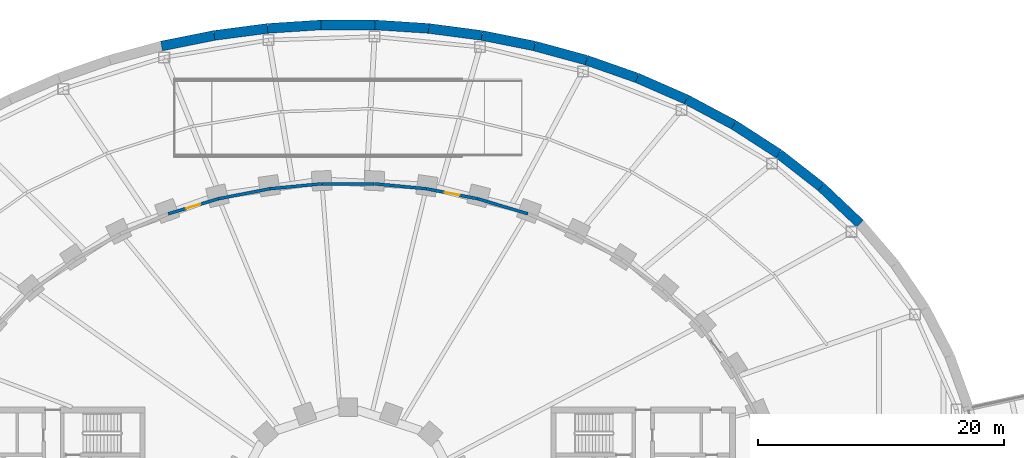
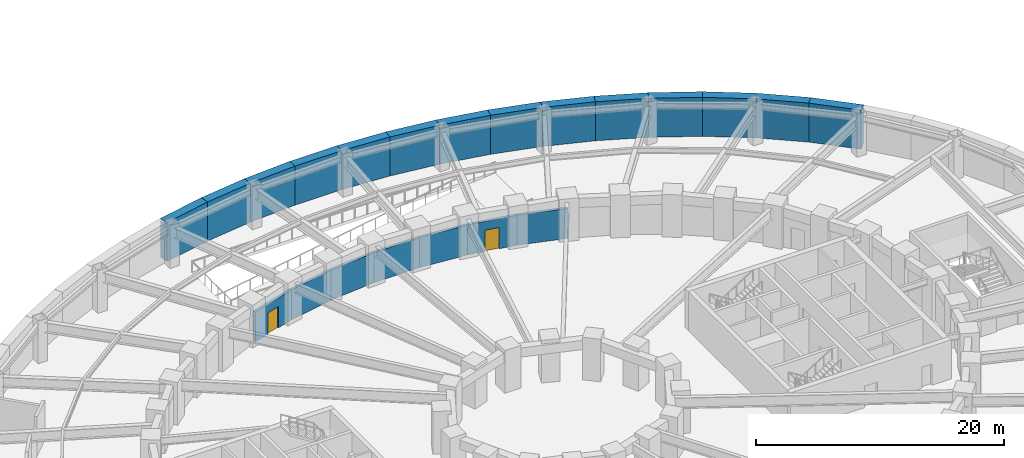
# One storey, part 22 of 32: 21 walls, 2 doors, 2 openings.
"""IFC4 building model written with IfcOpenShell, lengths in metres."""

from ifc_helpers import new_model, si_unit, direction, frame, frame_2d, origin, place, context, subcontext, project, spatial, rectangle, extrude, material, layer, layer_set, type_object, element, fill, save


model = new_model("IFC4")

# Units and contexts
model_context = context("Model", 3, precision=1e-05, world=origin(), true_north=direction((0.0, 1.0)))
body_context = subcontext(model_context, "Body", "Model", "MODEL_VIEW")
ifc_project = project(units=[si_unit("LENGTHUNIT", "METRE"), si_unit("AREAUNIT", "SQUARE_METRE"), si_unit("VOLUMEUNIT", "CUBIC_METRE"), si_unit("PLANEANGLEUNIT", "RADIAN"), si_unit("MASSUNIT", "GRAM", prefix="KILO")], contexts=[model_context])

# Site, building, storey
site_placement = place(None, origin())
site = spatial("IfcSite", under=ifc_project, at=site_placement, CompositionType="ELEMENT")
building_placement = place(site_placement, origin())
building = spatial("IfcBuilding", under=site, at=building_placement, Name="Noorbagh Ring Tower", CompositionType="ELEMENT")
storey_placement = place(building_placement, frame((0.0, 0.0, -4.199951171875)))
storey = spatial("IfcBuildingStorey", under=building, at=storey_placement, Name="B1", CompositionType="ELEMENT", Elevation=-4.199951171875)

# Wall
ifc_material_1 = material(Name="Concrete C40/50", Category="concrete")
ifc_layer_1 = layer(ifc_material_1, 0.25)
ifc_layer_set_1 = layer_set([ifc_layer_1], Name="Concrete C40/50")
wall_type_1 = type_object("IfcWallType", Name="GND-WALL-RING", PredefinedType="SOLIDWALL", material=ifc_layer_set_1)
wall_1_placement = place(storey_placement, frame((14.6162109375, 24.2080078125, 0.0), z_axis=(0.0, 0.0, 1.0), x_axis=(-0.957589494621, 0.28813600919, 0.0)))
element("IfcWall", 1, at=wall_1_placement, inside=storey, type_object=wall_type_1, Name="Tower basement fire wall", PredefinedType="SOLIDWALL", context=body_context, shape_type="SweptSolid", body=[
    extrude(rectangle(XDim=4.234130859375, YDim=0.25, at=frame_2d((2.1171875, 0.0))), origin(), (0.0, 0.0, 1.0), 2.949951171875),
])

# Wall, opening, door
wall_2_placement = place(storey_placement, frame((10.544189453125, 25.432373046875, 0.0), z_axis=(0.0, 0.0, 1.0), x_axis=(-0.981622881166, 0.190831127365, 0.0)))
wall_2 = element("IfcWall", 2, at=wall_2_placement, inside=storey, type_object=wall_type_1, Name="Tower basement fire wall", PredefinedType="SOLIDWALL", context=body_context, shape_type="SweptSolid", body=[
    extrude(rectangle(XDim=4.23974609375, YDim=0.25, at=frame_2d((2.119873046875, 0.0))), origin(), (0.0, 0.0, 1.0), 2.949951171875),
])
opening_1_placement = place(wall_2_placement, frame((1.52001953125, 0.0, 0.0)))
opening_1 = element("IfcOpeningElement", 3, at=opening_1_placement, cuts=wall_2, Name="Opening GD4", PredefinedType="OPENING", context=body_context, shape_type="SweptSolid", body=[
    extrude(rectangle(XDim=1.199951171875, YDim=2.10009765625, at=frame_2d((0.60009765625, 1.050048828125))), frame((0.0, 0.135009765625, 0.0), z_axis=(0.0, -1.0, 0.0), x_axis=(1.0, 0.0, 0.0)), (0.0, 0.0, 1.0), 0.27001953125),
])
ifc_material_2 = material(Name="Steel", Category="steel")
door_type = type_object("IfcDoorType", Name="GND-DOOR-RING", OperationType="DOUBLE_DOOR_SINGLE_SWING", PredefinedType="DOOR", material=ifc_material_2)
door_1_placement = place(opening_1_placement, origin())
door_1 = element("IfcDoor", 4, at=door_1_placement, inside=storey, type_object=door_type, Name="Tower basement door", OperationType="DOUBLE_DOOR_SINGLE_SWING", OverallHeight=2.10009765625, OverallWidth=1.199951171875, PredefinedType="DOOR", context=body_context, shape_type="SweptSolid", body=[
    extrude(rectangle(XDim=1.199951171875, YDim=2.10009765625, at=frame_2d((0.60009765625, 1.050048828125))), frame((0.0, 0.02490234375, 0.0), z_axis=(0.0, -1.0, 0.0), x_axis=(1.0, 0.0, 0.0)), (0.0, 0.0, 1.0), 0.050048828125),
])
fill(opening_1, door_1)

# Walls
wall_3_placement = place(storey_placement, frame((6.364501953125, 26.243896484375, 0.0), z_axis=(0.0, 0.0, 1.0), x_axis=(-0.995473208191, 0.09504257874, 0.0)))
element("IfcWall", 5, at=wall_3_placement, inside=storey, type_object=wall_type_1, Name="Tower basement fire wall", PredefinedType="SOLIDWALL", context=body_context, shape_type="SweptSolid", body=[
    extrude(rectangle(XDim=4.24365234375, YDim=0.25, at=frame_2d((2.121826171875, 0.0))), origin(), (0.0, 0.0, 1.0), 2.949951171875),
])
wall_4_placement = place(storey_placement, frame((2.122314453125, 26.64794921875, 0.0), z_axis=(0.0, 0.0, 1.0), x_axis=(-1.0, 0.0, 0.0)))
element("IfcWall", 6, at=wall_4_placement, inside=storey, type_object=wall_type_1, Name="Tower basement fire wall", PredefinedType="SOLIDWALL", context=body_context, shape_type="SweptSolid", body=[
    extrude(rectangle(XDim=4.24462890625, YDim=0.25, at=frame_2d((2.122314453125, 0.0))), origin(), (0.0, 0.0, 1.0), 2.949951171875),
])
wall_5_placement = place(storey_placement, frame((-2.14013671875, 26.647216796875, 0.0), z_axis=(0.0, 0.0, 1.0), x_axis=(-0.995473208191, -0.09504257874, 0.0)))
element("IfcWall", 7, at=wall_5_placement, inside=storey, type_object=wall_type_1, Name="Tower basement fire wall", PredefinedType="SOLIDWALL", context=body_context, shape_type="SweptSolid", body=[
    extrude(rectangle(XDim=4.24365234375, YDim=0.25, at=frame_2d((2.121826171875, 0.0))), origin(), (0.0, 0.0, 1.0), 2.949951171875),
])
wall_6_placement = place(storey_placement, frame((-6.38232421875, 26.241455078125, 0.0), z_axis=(0.0, 0.0, 1.0), x_axis=(-0.981622881166, -0.190831127365, 0.0)))
element("IfcWall", 8, at=wall_6_placement, inside=storey, type_object=wall_type_1, Name="Tower basement fire wall", PredefinedType="SOLIDWALL", context=body_context, shape_type="SweptSolid", body=[
    extrude(rectangle(XDim=4.23974609375, YDim=0.25, at=frame_2d((2.119873046875, 0.0))), origin(), (0.0, 0.0, 1.0), 2.949951171875),
])

# Wall, opening, door
wall_7_placement = place(storey_placement, frame((-10.561767578125, 25.427978515625, 0.0), z_axis=(0.0, 0.0, 1.0), x_axis=(-0.957589494621, -0.28813600919, 0.0)))
wall_7 = element("IfcWall", 9, at=wall_7_placement, inside=storey, type_object=wall_type_1, Name="Tower basement fire wall", PredefinedType="SOLIDWALL", context=body_context, shape_type="SweptSolid", body=[
    extrude(rectangle(XDim=4.234130859375, YDim=0.25, at=frame_2d((2.1171875, 0.0))), origin(), (0.0, 0.0, 1.0), 2.949951171875),
])
opening_2_placement = place(wall_7_placement, frame((1.51708984375, 0.0, 0.0)))
opening_2 = element("IfcOpeningElement", 10, at=opening_2_placement, cuts=wall_7, Name="Opening GD4", PredefinedType="OPENING", context=body_context, shape_type="SweptSolid", body=[
    extrude(rectangle(XDim=1.199951171875, YDim=2.10009765625, at=frame_2d((0.60009765625, 1.050048828125))), frame((0.0, 0.135009765625, 0.0), z_axis=(0.0, -1.0, 0.0), x_axis=(1.0, 0.0, 0.0)), (0.0, 0.0, 1.0), 0.27001953125),
])
door_2_placement = place(opening_2_placement, origin())
door_2 = element("IfcDoor", 11, at=door_2_placement, inside=storey, type_object=door_type, Name="Tower basement door", OperationType="DOUBLE_DOOR_SINGLE_SWING", OverallHeight=2.10009765625, OverallWidth=1.199951171875, PredefinedType="DOOR", context=body_context, shape_type="SweptSolid", body=[
    extrude(rectangle(XDim=1.199951171875, YDim=2.10009765625, at=frame_2d((0.60009765625, 1.050048828125))), frame((0.0, 0.02490234375, 0.0), z_axis=(0.0, -1.0, 0.0), x_axis=(1.0, 0.0, 0.0)), (0.0, 0.0, 1.0), 0.050048828125),
])
fill(opening_2, door_2)

# Walls
ifc_material_3 = material(Name="Concrete C40/50", Category="concrete")
ifc_layer_2 = layer(ifc_material_3, 0.800048828125)
ifc_layer_set_2 = layer_set([ifc_layer_2], Name="Concrete C40/50")
wall_type_2 = type_object("IfcWallType", Name="STR-RETAINING-WALL", PredefinedType="SOLIDWALL", material=ifc_layer_set_2)
wall_8_placement = place(storey_placement, frame((41.61669921875, 23.406005859375, 0.0), z_axis=(0.0, 0.0, 1.0), x_axis=(-0.72620446032, 0.687478786444, 0.0)))
element("IfcWall", 12, at=wall_8_placement, inside=storey, type_object=wall_type_2, Name="B1/retwall/07", PredefinedType="SOLIDWALL", context=body_context, shape_type="SweptSolid", body=[
    extrude(rectangle(XDim=4.356201171875, YDim=0.800048828125, at=frame_2d((2.17822265625, 0.0))), origin(), (0.0, 0.0, 1.0), 3.849853515625),
])
wall_9_placement = place(storey_placement, frame((38.453125, 26.40087890625, 0.0), z_axis=(0.0, 0.0, 1.0), x_axis=(-0.788491985196, 0.615045030288, 0.0)))
element("IfcWall", 13, at=wall_9_placement, inside=storey, type_object=wall_type_2, Name="B1/retwall/08", PredefinedType="SOLIDWALL", context=body_context, shape_type="SweptSolid", body=[
    extrude(rectangle(XDim=4.359375, YDim=0.800048828125, at=frame_2d((2.1796875, 0.0))), origin(), (0.0, 0.0, 1.0), 3.849853515625),
])
wall_10_placement = place(storey_placement, frame((35.015869140625, 29.08203125, 0.0), z_axis=(0.0, 0.0, 1.0), x_axis=(-0.840047348843, 0.542513088969, 0.0)))
element("IfcWall", 14, at=wall_10_placement, inside=storey, type_object=wall_type_2, Name="B1/retwall/09", PredefinedType="SOLIDWALL", context=body_context, shape_type="SweptSolid", body=[
    extrude(rectangle(XDim=4.362060546875, YDim=0.800048828125, at=frame_2d((2.18115234375, 0.0))), origin(), (0.0, 0.0, 1.0), 3.849853515625),
])
wall_11_placement = place(storey_placement, frame((31.3515625, 31.448486328125, 0.0), z_axis=(0.0, 0.0, 1.0), x_axis=(-0.882159305704, 0.47095112205, 0.0)))
element("IfcWall", 15, at=wall_11_placement, inside=storey, type_object=wall_type_2, Name="B1/retwall/10", PredefinedType="SOLIDWALL", context=body_context, shape_type="SweptSolid", body=[
    extrude(rectangle(XDim=4.364501953125, YDim=0.800048828125, at=frame_2d((2.18212890625, 0.0))), origin(), (0.0, 0.0, 1.0), 3.849853515625),
])
wall_12_placement = place(storey_placement, frame((27.50146484375, 33.50390625, 0.0), z_axis=(0.0, 0.0, 1.0), x_axis=(-0.916336904548, 0.400408138483, 0.0)))
element("IfcWall", 16, at=wall_12_placement, inside=storey, type_object=wall_type_2, Name="B1/retwall/11", PredefinedType="SOLIDWALL", context=body_context, shape_type="SweptSolid", body=[
    extrude(rectangle(XDim=4.3662109375, YDim=0.800048828125, at=frame_2d((2.18310546875, 0.0))), origin(), (0.0, 0.0, 1.0), 3.849853515625),
])
wall_13_placement = place(storey_placement, frame((23.50048828125, 35.252197265625, 0.0), z_axis=(0.0, 0.0, 1.0), x_axis=(-0.943526738033, 0.331296384853, 0.0)))
element("IfcWall", 17, at=wall_13_placement, inside=storey, type_object=wall_type_2, Name="B1/retwall/12", PredefinedType="SOLIDWALL", context=body_context, shape_type="SweptSolid", body=[
    extrude(rectangle(XDim=4.36767578125, YDim=0.800048828125, at=frame_2d((2.183837890625, 0.0))), origin(), (0.0, 0.0, 1.0), 3.849853515625),
])
wall_14_placement = place(storey_placement, frame((19.37939453125, 36.69921875, 0.0), z_axis=(0.0, 0.0, 1.0), x_axis=(-0.964679950239, 0.263424739931, 0.0)))
element("IfcWall", 18, at=wall_14_placement, inside=storey, type_object=wall_type_2, Name="B1/retwall/13", PredefinedType="SOLIDWALL", context=body_context, shape_type="SweptSolid", body=[
    extrude(rectangle(XDim=4.368896484375, YDim=0.800048828125, at=frame_2d((2.1845703125, 0.0))), origin(), (0.0, 0.0, 1.0), 3.849853515625),
])
wall_15_placement = place(storey_placement, frame((15.164794921875, 37.85009765625, 0.0), z_axis=(0.0, 0.0, 1.0), x_axis=(-0.980494629762, 0.196545875071, 0.0)))
element("IfcWall", 19, at=wall_15_placement, inside=storey, type_object=wall_type_2, Name="B1/retwall/14", PredefinedType="SOLIDWALL", context=body_context, shape_type="SweptSolid", body=[
    extrude(rectangle(XDim=4.369873046875, YDim=0.800048828125, at=frame_2d((2.18505859375, 0.0))), origin(), (0.0, 0.0, 1.0), 3.849853515625),
])
wall_16_placement = place(storey_placement, frame((10.880126953125, 38.708984375, 0.0), z_axis=(0.0, 0.0, 1.0), x_axis=(-0.991441741932, 0.130549884544, 0.0)))
element("IfcWall", 20, at=wall_16_placement, inside=storey, type_object=wall_type_2, Name="B1/retwall/15", PredefinedType="SOLIDWALL", context=body_context, shape_type="SweptSolid", body=[
    extrude(rectangle(XDim=4.370361328125, YDim=0.800048828125, at=frame_2d((2.18505859375, 0.0))), origin(), (0.0, 0.0, 1.0), 3.849853515625),
])
wall_17_placement = place(storey_placement, frame((6.547119140625, 39.279541015625, 0.0), z_axis=(0.0, 0.0, 1.0), x_axis=(-0.997876871627, 0.065128711577, 0.0)))
element("IfcWall", 21, at=wall_17_placement, inside=storey, type_object=wall_type_2, Name="B1/retwall/16", PredefinedType="SOLIDWALL", context=body_context, shape_type="SweptSolid", body=[
    extrude(rectangle(XDim=4.370849609375, YDim=0.800048828125, at=frame_2d((2.185546875, 0.0))), origin(), (0.0, 0.0, 1.0), 3.849853515625),
])
wall_18_placement = place(storey_placement, frame((2.185546875, 39.564208984375, 0.0), z_axis=(0.0, 0.0, 1.0), x_axis=(-1.0, 0.0, 0.0)))
element("IfcWall", 22, at=wall_18_placement, inside=storey, type_object=wall_type_2, Name="B1/retwall/17", PredefinedType="SOLIDWALL", context=body_context, shape_type="SweptSolid", body=[
    extrude(rectangle(XDim=4.37109375, YDim=0.800048828125, at=frame_2d((2.185546875, 0.0))), origin(), (0.0, 0.0, 1.0), 3.849853515625),
])
wall_19_placement = place(storey_placement, frame((-2.185546875, 39.564208984375, 0.0), z_axis=(0.0, 0.0, 1.0), x_axis=(-0.997876871627, -0.065128711577, 0.0)))
element("IfcWall", 23, at=wall_19_placement, inside=storey, type_object=wall_type_2, Name="B1/retwall/18", PredefinedType="SOLIDWALL", context=body_context, shape_type="SweptSolid", body=[
    extrude(rectangle(XDim=4.370849609375, YDim=0.800048828125, at=frame_2d((2.185546875, 0.0))), origin(), (0.0, 0.0, 1.0), 3.849853515625),
])
wall_20_placement = place(storey_placement, frame((-6.547119140625, 39.279541015625, 0.0), z_axis=(0.0, 0.0, 1.0), x_axis=(-0.991441741932, -0.130549884544, 0.0)))
element("IfcWall", 24, at=wall_20_placement, inside=storey, type_object=wall_type_2, Name="B1/retwall/19", PredefinedType="SOLIDWALL", context=body_context, shape_type="SweptSolid", body=[
    extrude(rectangle(XDim=4.370361328125, YDim=0.800048828125, at=frame_2d((2.18505859375, 0.0))), origin(), (0.0, 0.0, 1.0), 3.849853515625),
])
wall_21_placement = place(storey_placement, frame((-10.880126953125, 38.708984375, 0.0), z_axis=(0.0, 0.0, 1.0), x_axis=(-0.980494629762, -0.196545875071, 0.0)))
element("IfcWall", 25, at=wall_21_placement, inside=storey, type_object=wall_type_2, Name="B1/retwall/20", PredefinedType="SOLIDWALL", context=body_context, shape_type="SweptSolid", body=[
    extrude(rectangle(XDim=4.369873046875, YDim=0.800048828125, at=frame_2d((2.18505859375, 0.0))), origin(), (0.0, 0.0, 1.0), 3.849853515625),
])

save(model, "model.ifc")
